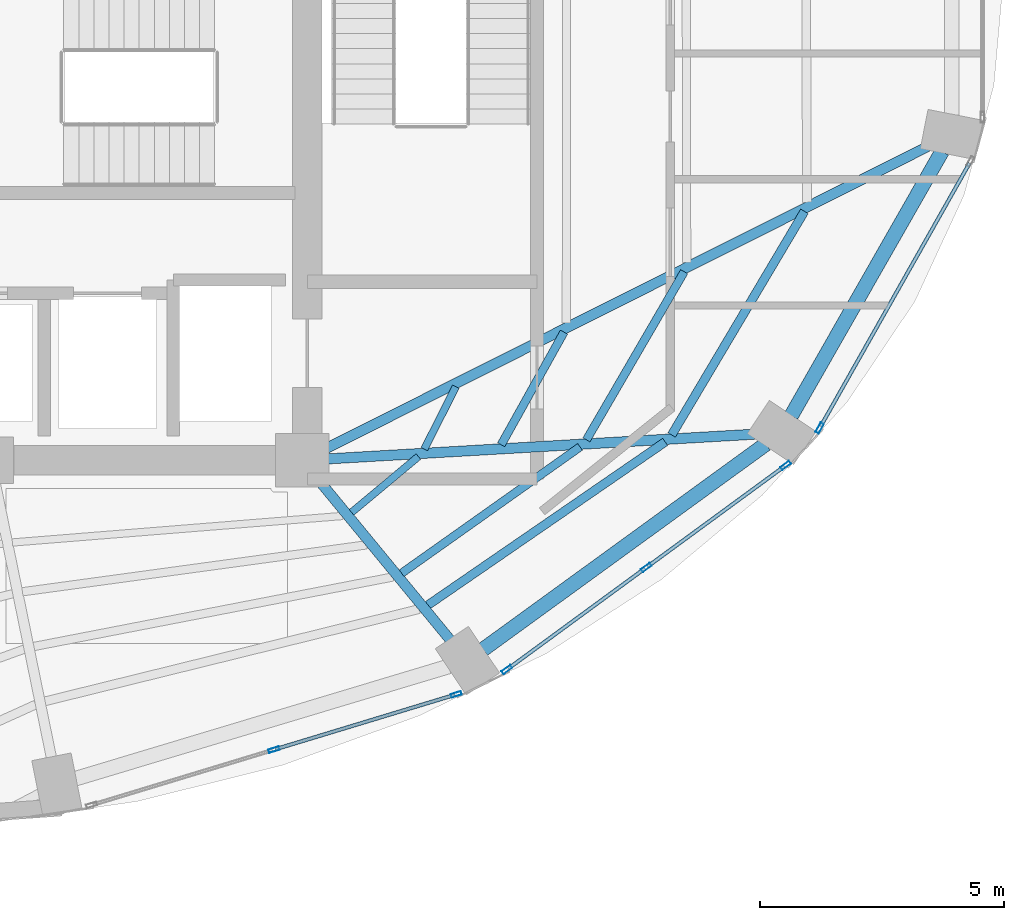
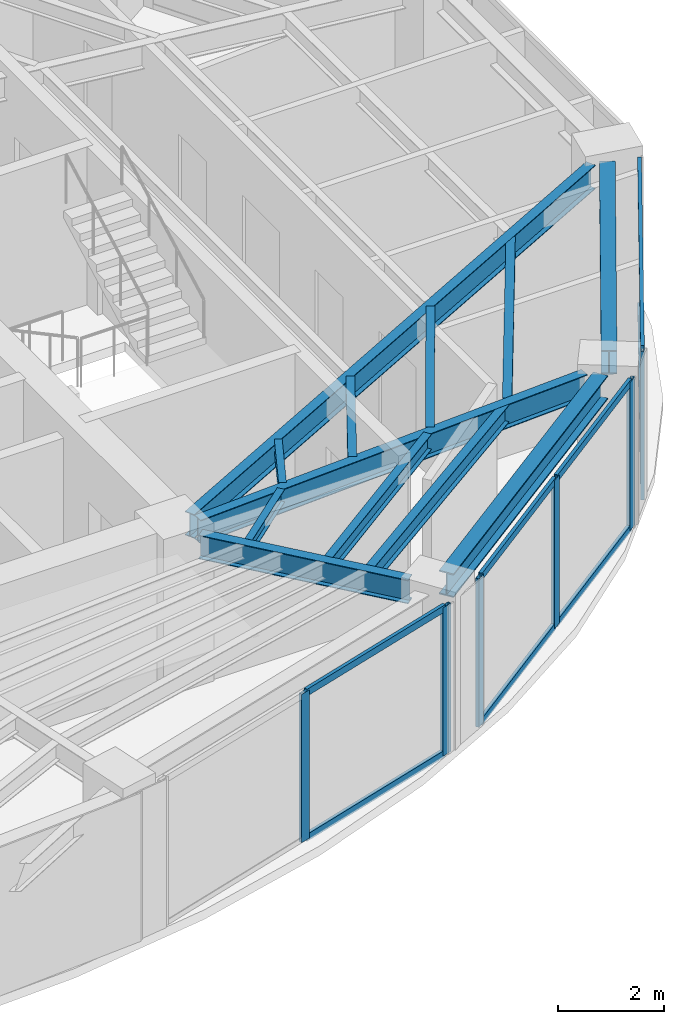
# One storey, part 9 of 20: 14 members, 12 beams, 3 elements without a shape of their own.
"""IFC4 building model written with IfcOpenShell, lengths in metres."""

from ifc_helpers import new_model, si_unit, direction, frame, origin, origin_2d, place, context, subcontext, project, spatial, hollow_rectangle, i_section, extrude, material, layer, layer_set, material_profile, profile_set, type_object, element, aggregate, save


model = new_model("IFC4")

# Units and contexts
model_context = context("Model", 3, precision=1e-05, world=origin(), true_north=direction((0.0, 1.0)))
body_context = subcontext(model_context, "Body", "Model", "MODEL_VIEW")
ifc_project = project(units=[si_unit("LENGTHUNIT", "METRE"), si_unit("AREAUNIT", "SQUARE_METRE"), si_unit("VOLUMEUNIT", "CUBIC_METRE"), si_unit("PLANEANGLEUNIT", "RADIAN"), si_unit("MASSUNIT", "GRAM", prefix="KILO")], contexts=[model_context])

# Site, building, storey
site_placement = place(None, origin())
site = spatial("IfcSite", under=ifc_project, at=site_placement, CompositionType="ELEMENT")
building_placement = place(site_placement, origin())
building = spatial("IfcBuilding", under=site, at=building_placement, Name="Lazwardi Medical Tower", CompositionType="ELEMENT")
storey_placement = place(building_placement, frame((0.0, 0.0, 160.176025390625)))
storey = spatial("IfcBuildingStorey", under=building, at=storey_placement, Name="L41", CompositionType="ELEMENT", Elevation=160.176025390625)

# Beams
ifc_material_1 = material(Name="Steel S355", Category="steel")
ifc_material_profile_1 = material_profile(ifc_material_1, i_section(OverallWidth=0.300048828125, OverallDepth=0.550048828125, WebThickness=0.014892578125, FlangeThickness=0.029052734375, at=origin_2d()), Name="HEB 550")
ifc_profile_set_1 = profile_set([ifc_material_profile_1], Name="Steel S355")
beam_type_1 = type_object("IfcBeamType", Name="BM-RB-Z3", PredefinedType="BEAM", material=ifc_profile_set_1)
beam_1_placement = place(storey_placement, frame((49.310302734375, 16.520751953125, 3.153076171875), z_axis=(0.809127570774, 0.587633026824, 0.0), x_axis=(-0.587633026824, 0.809127570774, 0.0)))
element("IfcBeam", 1, at=beam_1_placement, inside=storey, type_object=beam_type_1, Name="Ring beam RB-04 B02 L41", PredefinedType="BEAM", context=body_context, shape_type="SweptSolid", body=[
    extrude(i_section(OverallWidth=0.300048828125, OverallDepth=0.550048828125, WebThickness=0.014892578125, FlangeThickness=0.029052734375, at=origin_2d()), origin(), (0.0, 0.0, 1.0), 7.170166015625),
])
beam_2_placement = place(storey_placement, frame((55.6337890625, 21.316650390625, 3.153076171875), z_axis=(0.495477752551, 0.868620628771, 0.0), x_axis=(-0.868620628771, 0.495477752551, 0.0)))
element("IfcBeam", 2, at=beam_2_placement, inside=storey, type_object=beam_type_1, Name="Ring beam RB-04 B03 L41", PredefinedType="BEAM", context=body_context, shape_type="SweptSolid", body=[
    extrude(i_section(OverallWidth=0.300048828125, OverallDepth=0.550048828125, WebThickness=0.014892578125, FlangeThickness=0.029052734375, at=origin_2d()), origin(), (0.0, 0.0, 1.0), 6.244384765625),
])
ifc_material_profile_2 = material_profile(ifc_material_1, i_section(OverallWidth=0.2099609375, OverallDepth=0.550048828125, WebThickness=0.010986328125, FlangeThickness=0.01708984375, at=origin_2d()), Name="IPE 550")
ifc_profile_set_2 = profile_set([ifc_material_profile_2], Name="Steel S355")
beam_type_2 = type_object("IfcBeamType", Name="BM-RG-W2", PredefinedType="BEAM", material=ifc_profile_set_2)
beam_3_placement = place(storey_placement, frame((48.630615234375, 16.71826171875, 3.153076171875), z_axis=(-0.635555639966, 0.772055068312, 0.0), x_axis=(-0.772055068312, -0.635555639966, 0.0)))
element("IfcBeam", 3, at=beam_3_placement, inside=storey, type_object=beam_type_2, Name="Radial girder RG-03 R02 L41", PredefinedType="BEAM", context=body_context, shape_type="SweptSolid", body=[
    extrude(i_section(OverallWidth=0.2099609375, OverallDepth=0.550048828125, WebThickness=0.010986328125, FlangeThickness=0.01708984375, at=origin_2d()), origin(), (0.0, 0.0, 1.0), 4.233642578125),
])
beam_4_placement = place(storey_placement, frame((54.87646484375, 20.936767578125, 3.153076171875), z_axis=(-0.998330154646, -0.057765927014, 0.0), x_axis=(0.057765927014, -0.998330154646, 0.0)))
element("IfcBeam", 4, at=beam_4_placement, inside=storey, type_object=beam_type_2, Name="Radial girder RG-03 R03 L41", PredefinedType="BEAM", context=body_context, shape_type="SweptSolid", body=[
    extrude(i_section(OverallWidth=0.2099609375, OverallDepth=0.550048828125, WebThickness=0.010986328125, FlangeThickness=0.01708984375, at=origin_2d()), origin(), (0.0, 0.0, 1.0), 8.757080078125),
])
beam_5_placement = place(storey_placement, frame((58.42529296875, 26.837158203125, 3.153076171875), z_axis=(-0.893740468624, -0.448584412061, 0.0), x_axis=(0.448584412061, -0.893740468624, 0.0)))
element("IfcBeam", 5, at=beam_5_placement, inside=storey, type_object=beam_type_2, Name="Radial girder RG-03 R04 L41", PredefinedType="BEAM", context=body_context, shape_type="SweptSolid", body=[
    extrude(i_section(OverallWidth=0.2099609375, OverallDepth=0.550048828125, WebThickness=0.010986328125, FlangeThickness=0.01708984375, at=origin_2d()), origin(), (0.0, 0.0, 1.0), 13.815185546875),
])
ifc_material_profile_3 = material_profile(ifc_material_1, i_section(OverallWidth=0.179931640625, OverallDepth=0.39990234375, WebThickness=0.008544921875, FlangeThickness=0.013427734375, at=origin_2d()), Name="IPE 400")
ifc_profile_set_3 = profile_set([ifc_material_profile_3], Name="Steel S355")
beam_type_3 = type_object("IfcBeamType", Name="BM-SJ-01", PredefinedType="JOIST", material=ifc_profile_set_3)
beam_6_placement = place(storey_placement, frame((48.1748046875, 17.4287109375, 3.22802734375), z_axis=(0.823932256005, 0.566688307198, 0.0), x_axis=(-0.566688307198, 0.823932256005, 0.0)))
element("IfcBeam", 6, at=beam_6_placement, inside=storey, type_object=beam_type_3, Name="Secondary joist SJ-01 R1 B02 L41", PredefinedType="JOIST", context=body_context, shape_type="SweptSolid", body=[
    extrude(i_section(OverallWidth=0.179931640625, OverallDepth=0.39990234375, WebThickness=0.008544921875, FlangeThickness=0.013427734375, at=origin_2d()), origin(), (0.0, 0.0, 1.0), 5.91162109375),
])
beam_7_placement = place(storey_placement, frame((53.17919921875, 20.921630859375, 3.22802734375), z_axis=(0.510569396963, 0.859836548935, 0.0), x_axis=(-0.859836548935, 0.510569396963, 0.0)))
element("IfcBeam", 7, at=beam_7_placement, inside=storey, type_object=beam_type_3, Name="Secondary joist SJ-01 R1 B03 L41", PredefinedType="JOIST", context=body_context, shape_type="SweptSolid", body=[
    extrude(i_section(OverallWidth=0.179931640625, OverallDepth=0.39990234375, WebThickness=0.008544921875, FlangeThickness=0.013427734375, at=origin_2d()), origin(), (0.0, 0.0, 1.0), 5.33837890625),
])
ifc_material_profile_4 = material_profile(ifc_material_1, i_section(OverallWidth=0.169921875, OverallDepth=0.360107421875, WebThickness=0.008056640625, FlangeThickness=0.0126953125, at=origin_2d()), Name="IPE 360")
ifc_profile_set_4 = profile_set([ifc_material_profile_4], Name="Steel S355")
beam_type_4 = type_object("IfcBeamType", Name="BM-SJ-02", PredefinedType="JOIST", material=ifc_profile_set_4)
beam_8_placement = place(storey_placement, frame((47.635986328125, 18.08349609375, 3.248046875), z_axis=(0.816108950798, 0.577898070967, 0.0), x_axis=(-0.577898070967, 0.816108950798, 0.0)))
element("IfcBeam", 8, at=beam_8_placement, inside=storey, type_object=beam_type_4, Name="Secondary joist SJ-02 R2 B02 L41", PredefinedType="JOIST", context=body_context, shape_type="SweptSolid", body=[
    extrude(i_section(OverallWidth=0.169921875, OverallDepth=0.360107421875, WebThickness=0.008056640625, FlangeThickness=0.0126953125, at=origin_2d()), origin(), (0.0, 0.0, 1.0), 4.487060546875),
])
beam_9_placement = place(storey_placement, frame((51.4296875, 20.82080078125, 3.248046875), z_axis=(0.502665102216, 0.864481228839, 0.0), x_axis=(-0.864481228839, 0.502665102216, 0.0)))
element("IfcBeam", 9, at=beam_9_placement, inside=storey, type_object=beam_type_4, Name="Secondary joist SJ-02 R2 B03 L41", PredefinedType="JOIST", context=body_context, shape_type="SweptSolid", body=[
    extrude(i_section(OverallWidth=0.169921875, OverallDepth=0.360107421875, WebThickness=0.008056640625, FlangeThickness=0.0126953125, at=origin_2d()), origin(), (0.0, 0.0, 1.0), 3.991943359375),
])
beam_10_placement = place(storey_placement, frame((49.6796875, 20.720703125, 3.248046875), z_axis=(0.487099444348, 0.87334651274, 0.0), x_axis=(-0.87334651274, 0.487099444348, 0.0)))
element("IfcBeam", 10, at=beam_10_placement, inside=storey, type_object=beam_type_4, Name="Secondary joist SJ-02 R3 B03 L41", PredefinedType="JOIST", context=body_context, shape_type="SweptSolid", body=[
    extrude(i_section(OverallWidth=0.169921875, OverallDepth=0.360107421875, WebThickness=0.008056640625, FlangeThickness=0.0126953125, at=origin_2d()), origin(), (0.0, 0.0, 1.0), 2.64599609375),
])
ifc_material_profile_5 = material_profile(ifc_material_1, i_section(OverallWidth=0.14990234375, OverallDepth=0.300048828125, WebThickness=0.007080078125, FlangeThickness=0.0107421875, at=origin_2d()), Name="IPE 300")
ifc_profile_set_5 = profile_set([ifc_material_profile_5], Name="Steel S355")
beam_type_5 = type_object("IfcBeamType", Name="BM-SJ-03", PredefinedType="JOIST", material=ifc_profile_set_5)
beam_11_placement = place(storey_placement, frame((46.608642578125, 19.331787109375, 3.278076171875), z_axis=(0.767437193893, 0.641124132621, 0.0), x_axis=(-0.641124132621, 0.767437193893, 0.0)))
element("IfcBeam", 11, at=beam_11_placement, inside=storey, type_object=beam_type_5, Name="Secondary joist SJ-03 R4 B02 L41", PredefinedType="JOIST", context=body_context, shape_type="SweptSolid", body=[
    extrude(i_section(OverallWidth=0.14990234375, OverallDepth=0.300048828125, WebThickness=0.007080078125, FlangeThickness=0.0107421875, at=origin_2d()), origin(), (0.0, 0.0, 1.0), 1.787841796875),
])
beam_12_placement = place(storey_placement, frame((48.1025390625, 20.631591796875, 3.278076171875), z_axis=(0.450406075332, 0.892823816497, 0.0), x_axis=(-0.892823816497, 0.450406075332, 0.0)))
element("IfcBeam", 12, at=beam_12_placement, inside=storey, type_object=beam_type_5, Name="Secondary joist SJ-03 R4 B03 L41", PredefinedType="JOIST", context=body_context, shape_type="SweptSolid", body=[
    extrude(i_section(OverallWidth=0.14990234375, OverallDepth=0.300048828125, WebThickness=0.007080078125, FlangeThickness=0.0107421875, at=origin_2d()), origin(), (0.0, 0.0, 1.0), 1.4365234375),
])

# Curtain wall, members
ifc_material_2 = material(Name="Anodised bronze aluminium and solar control glazing", Category="aluminium")
ifc_layer = layer(ifc_material_2, 0.195068359375)
ifc_layer_set = layer_set([ifc_layer], Name="Anodised bronze aluminium and solar control glazing")
curtain_wall_type = type_object("IfcCurtainWallType", Name="CW-SYS-03", PredefinedType="NOTDEFINED", material=ifc_layer_set)
curtain_wall_1_placement = place(storey_placement, origin())
curtain_wall_1 = element("IfcCurtainWall", 13, at=curtain_wall_1_placement, inside=storey, type_object=curtain_wall_type, Name="L41 Unitised bronze curtain wall CW-03", PredefinedType="NOTDEFINED")
ifc_material_3 = material(Name="Anodised bronze aluminium", Category="aluminium")
ifc_material_profile_6 = material_profile(ifc_material_3, hollow_rectangle(XDim=0.074951171875, YDim=0.219970703125, WallThickness=0.00390625, at=origin_2d()), Name="ALU-MULLION 220x75x4")
ifc_profile_set_6 = profile_set([ifc_material_profile_6], Name="Anodised bronze aluminium")
member_type_1 = type_object("IfcMemberType", Name="CW-MUL-01", PredefinedType="MULLION", material=ifc_profile_set_6)
member_1_placement = place(storey_placement, frame((45.01513671875, 14.461181640625, 0.0), z_axis=(0.0, 0.0, 1.0), x_axis=(-0.290280785441, 0.956941516292, 0.0)))
member_1 = element("IfcMember", 14, at=member_1_placement, type_object=member_type_1, Name="CW-03 mullion 2", PredefinedType="MULLION", context=body_context, shape_type="SweptSolid", body=[
    extrude(hollow_rectangle(XDim=0.074951171875, YDim=0.219970703125, WallThickness=0.00390625, at=origin_2d()), origin(), (0.0, 0.0, 1.0), 3.427978515625),
])
member_2_placement = place(storey_placement, frame((48.758056640625, 15.5966796875, 0.0), z_axis=(0.0, 0.0, 1.0), x_axis=(-0.290280785441, 0.956941516292, 0.0)))
member_2 = element("IfcMember", 15, at=member_2_placement, type_object=member_type_1, Name="CW-03 mullion 3", PredefinedType="MULLION", context=body_context, shape_type="SweptSolid", body=[
    extrude(hollow_rectangle(XDim=0.074951171875, YDim=0.219970703125, WallThickness=0.00390625, at=origin_2d()), origin(), (0.0, 0.0, 1.0), 3.427978515625),
])

curtain_wall_2_placement = place(storey_placement, origin())
curtain_wall_2 = element("IfcCurtainWall", 16, at=curtain_wall_2_placement, inside=storey, type_object=curtain_wall_type, Name="L41 Unitised bronze curtain wall CW-03", PredefinedType="NOTDEFINED")
member_3_placement = place(storey_placement, frame((49.795654296875, 16.105224609375, 0.0), z_axis=(0.0, 0.0, 1.0), x_axis=(-0.590833862635, 0.806793249082, 0.0)))
member_3 = element("IfcMember", 17, at=member_3_placement, type_object=member_type_1, Name="CW-03 mullion 1", PredefinedType="MULLION", context=body_context, shape_type="SweptSolid", body=[
    extrude(hollow_rectangle(XDim=0.074951171875, YDim=0.219970703125, WallThickness=0.00390625, at=origin_2d()), origin(), (0.0, 0.0, 1.0), 3.427978515625),
])
member_4_placement = place(storey_placement, frame((52.65771484375, 18.201171875, 0.0), z_axis=(0.0, 0.0, 1.0), x_axis=(-0.590833862635, 0.806793249082, 0.0)))
member_4 = element("IfcMember", 18, at=member_4_placement, type_object=member_type_1, Name="CW-03 mullion 2", PredefinedType="MULLION", context=body_context, shape_type="SweptSolid", body=[
    extrude(hollow_rectangle(XDim=0.074951171875, YDim=0.219970703125, WallThickness=0.00390625, at=origin_2d()), origin(), (0.0, 0.0, 1.0), 3.427978515625),
])
member_5_placement = place(storey_placement, frame((55.519775390625, 20.297119140625, 0.0), z_axis=(0.0, 0.0, 1.0), x_axis=(-0.590833862635, 0.806793249082, 0.0)))
member_5 = element("IfcMember", 19, at=member_5_placement, type_object=member_type_1, Name="CW-03 mullion 3", PredefinedType="MULLION", context=body_context, shape_type="SweptSolid", body=[
    extrude(hollow_rectangle(XDim=0.074951171875, YDim=0.219970703125, WallThickness=0.00390625, at=origin_2d()), origin(), (0.0, 0.0, 1.0), 3.427978515625),
])

# Curtain wall, member
curtain_wall_3_placement = place(storey_placement, origin())
curtain_wall_3 = element("IfcCurtainWall", 20, at=curtain_wall_3_placement, inside=storey, type_object=curtain_wall_type, Name="L41 Unitised bronze curtain wall CW-03", PredefinedType="NOTDEFINED")
member_6_placement = place(storey_placement, frame((56.217529296875, 21.063232421875, 0.0), z_axis=(0.0, 0.0, 1.0), x_axis=(-0.870418989303, 0.492311672683, 0.0)))
member_6 = element("IfcMember", 21, at=member_6_placement, type_object=member_type_1, Name="CW-03 mullion 1", PredefinedType="MULLION", context=body_context, shape_type="SweptSolid", body=[
    extrude(hollow_rectangle(XDim=0.074951171875, YDim=0.219970703125, WallThickness=0.00390625, at=origin_2d()), origin(), (0.0, 0.0, 1.0), 3.427978515625),
])

# Member
ifc_material_profile_7 = material_profile(ifc_material_3, hollow_rectangle(XDim=0.074951171875, YDim=0.159912109375, WallThickness=0.00390625, at=origin_2d()), Name="ALU-TRANSOM 160x75x4")
ifc_profile_set_7 = profile_set([ifc_material_profile_7], Name="Anodised bronze aluminium")
member_type_2 = type_object("IfcMemberType", Name="CW-TRN-01", PredefinedType="USERDEFINED", material=ifc_profile_set_7)
member_7_placement = place(storey_placement, frame((45.051025390625, 14.47216796875, 0.037353515625), z_axis=(0.956930154175, 0.290318239233, 0.0), x_axis=(-0.290318239233, 0.956930154175, 0.0)))
member_7 = element("IfcMember", 22, at=member_7_placement, type_object=member_type_2, Name="CW-03 transom 2.1", ObjectType="TRANSOM", PredefinedType="USERDEFINED", context=body_context, shape_type="SweptSolid", body=[
    extrude(hollow_rectangle(XDim=0.074951171875, YDim=0.159912109375, WallThickness=0.00390625, at=origin_2d()), origin(), (0.0, 0.0, 1.0), 3.83642578125),
])

member_8_placement = place(storey_placement, frame((45.051025390625, 14.47216796875, 3.390380859375), z_axis=(0.956930154175, 0.290318239233, 0.0), x_axis=(-0.290318239233, 0.956930154175, 0.0)))
member_8 = element("IfcMember", 23, at=member_8_placement, type_object=member_type_2, Name="CW-03 transom 2.2", ObjectType="TRANSOM", PredefinedType="USERDEFINED", context=body_context, shape_type="SweptSolid", body=[
    extrude(hollow_rectangle(XDim=0.074951171875, YDim=0.159912109375, WallThickness=0.00390625, at=origin_2d()), origin(), (0.0, 0.0, 1.0), 3.83642578125),
])

aggregate(curtain_wall_1, [member_1, member_2, member_7, member_8])

member_9_placement = place(storey_placement, frame((49.825927734375, 16.127197265625, 0.037353515625), z_axis=(0.806773646358, 0.590860629542, 0.0), x_axis=(-0.590860629542, 0.806773646358, 0.0)))
member_9 = element("IfcMember", 24, at=member_9_placement, type_object=member_type_2, Name="CW-03 transom 1.1", ObjectType="TRANSOM", PredefinedType="USERDEFINED", context=body_context, shape_type="SweptSolid", body=[
    extrude(hollow_rectangle(XDim=0.074951171875, YDim=0.159912109375, WallThickness=0.00390625, at=origin_2d()), origin(), (0.0, 0.0, 1.0), 3.472412109375),
])

member_10_placement = place(storey_placement, frame((49.825927734375, 16.127197265625, 3.390380859375), z_axis=(0.806773646358, 0.590860629542, 0.0), x_axis=(-0.590860629542, 0.806773646358, 0.0)))
member_10 = element("IfcMember", 25, at=member_10_placement, type_object=member_type_2, Name="CW-03 transom 1.2", ObjectType="TRANSOM", PredefinedType="USERDEFINED", context=body_context, shape_type="SweptSolid", body=[
    extrude(hollow_rectangle(XDim=0.074951171875, YDim=0.159912109375, WallThickness=0.00390625, at=origin_2d()), origin(), (0.0, 0.0, 1.0), 3.472412109375),
])

member_11_placement = place(storey_placement, frame((52.68798828125, 18.22314453125, 0.037353515625), z_axis=(0.806773646358, 0.590860629542, 0.0), x_axis=(-0.590860629542, 0.806773646358, 0.0)))
member_11 = element("IfcMember", 26, at=member_11_placement, type_object=member_type_2, Name="CW-03 transom 2.1", ObjectType="TRANSOM", PredefinedType="USERDEFINED", context=body_context, shape_type="SweptSolid", body=[
    extrude(hollow_rectangle(XDim=0.074951171875, YDim=0.159912109375, WallThickness=0.00390625, at=origin_2d()), origin(), (0.0, 0.0, 1.0), 3.472412109375),
])

member_12_placement = place(storey_placement, frame((52.68798828125, 18.22314453125, 3.390380859375), z_axis=(0.806773646358, 0.590860629542, 0.0), x_axis=(-0.590860629542, 0.806773646358, 0.0)))
member_12 = element("IfcMember", 27, at=member_12_placement, type_object=member_type_2, Name="CW-03 transom 2.2", ObjectType="TRANSOM", PredefinedType="USERDEFINED", context=body_context, shape_type="SweptSolid", body=[
    extrude(hollow_rectangle(XDim=0.074951171875, YDim=0.159912109375, WallThickness=0.00390625, at=origin_2d()), origin(), (0.0, 0.0, 1.0), 3.472412109375),
])

aggregate(curtain_wall_2, [member_3, member_4, member_5, member_9, member_10, member_11, member_12])

member_13_placement = place(storey_placement, frame((56.236083984375, 21.095947265625, 0.037353515625), z_axis=(0.492322860598, 0.870412661289, 0.0), x_axis=(-0.870412661289, 0.492322860598, 0.0)))
member_13 = element("IfcMember", 28, at=member_13_placement, type_object=member_type_2, Name="CW-03 transom 1.1", ObjectType="TRANSOM", PredefinedType="USERDEFINED", context=body_context, shape_type="SweptSolid", body=[
    extrude(hollow_rectangle(XDim=0.074951171875, YDim=0.159912109375, WallThickness=0.00390625, at=origin_2d()), origin(), (0.0, 0.0, 1.0), 6.20849609375),
])

member_14_placement = place(storey_placement, frame((56.236083984375, 21.095947265625, 3.390380859375), z_axis=(0.492322860598, 0.870412661289, 0.0), x_axis=(-0.870412661289, 0.492322860598, 0.0)))
member_14 = element("IfcMember", 29, at=member_14_placement, type_object=member_type_2, Name="CW-03 transom 1.2", ObjectType="TRANSOM", PredefinedType="USERDEFINED", context=body_context, shape_type="SweptSolid", body=[
    extrude(hollow_rectangle(XDim=0.074951171875, YDim=0.159912109375, WallThickness=0.00390625, at=origin_2d()), origin(), (0.0, 0.0, 1.0), 6.20849609375),
])

aggregate(curtain_wall_3, [member_6, member_13, member_14])

save(model, "model.ifc")
